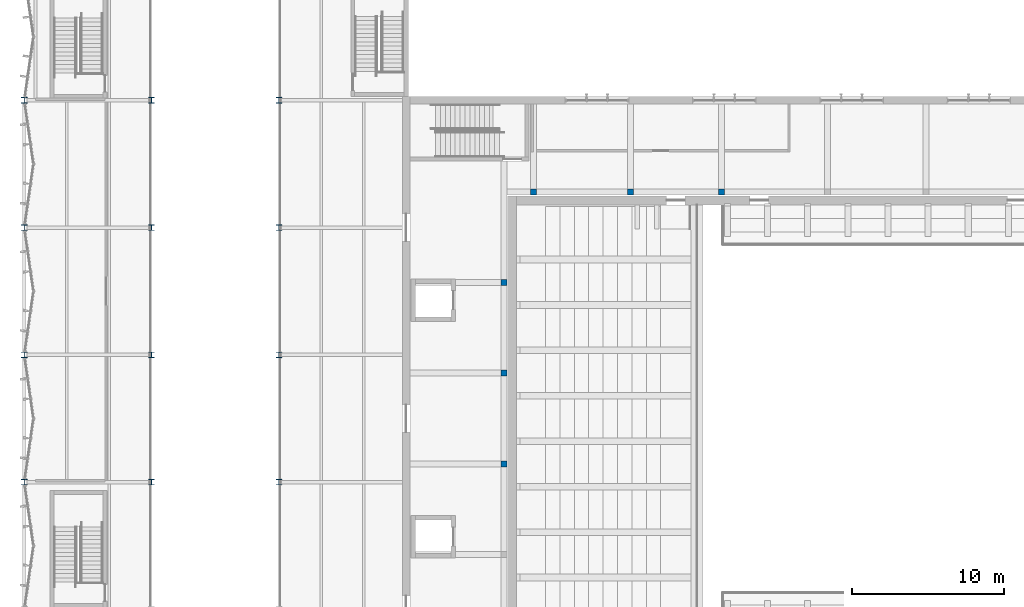
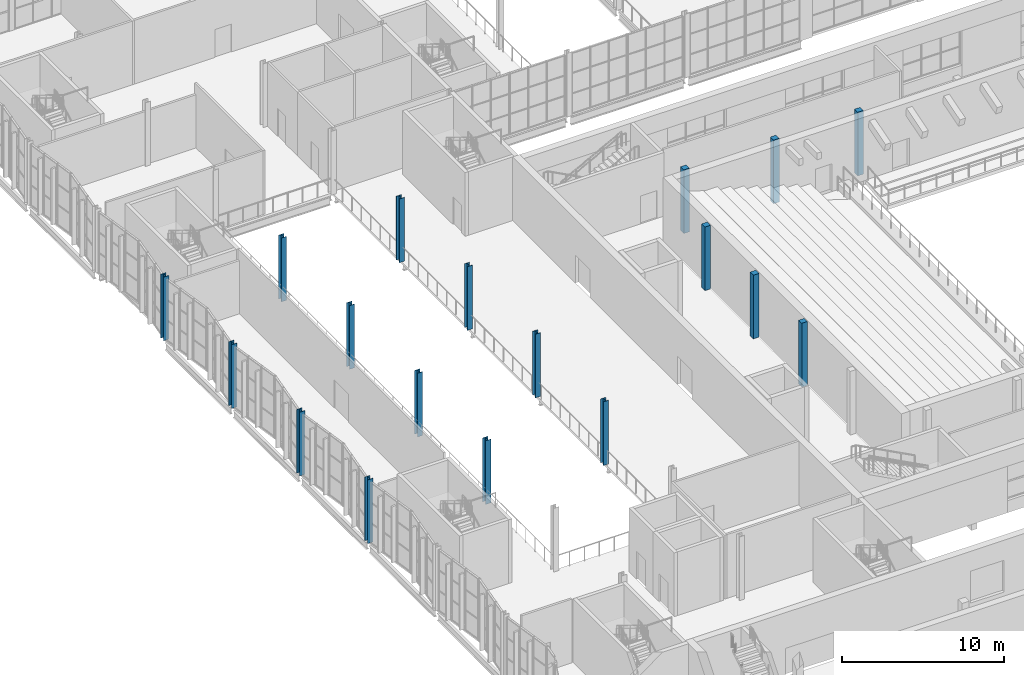
# One storey, part 7 of 127: 18 columns.
"""IFC4 building model written with IfcOpenShell, lengths in metres."""

from ifc_helpers import new_model, si_unit, direction, frame, origin, origin_2d, place, context, subcontext, project, spatial, rectangle, i_section, extrude, material, material_profile, profile_set, type_object, element, save


model = new_model("IFC4")

# Units and contexts
model_context = context("Model", 3, precision=1e-05, world=origin(), true_north=direction((0.0, 1.0)))
body_context = subcontext(model_context, "Body", "Model", "MODEL_VIEW")
ifc_project = project(units=[si_unit("LENGTHUNIT", "METRE"), si_unit("AREAUNIT", "SQUARE_METRE"), si_unit("VOLUMEUNIT", "CUBIC_METRE"), si_unit("PLANEANGLEUNIT", "RADIAN"), si_unit("MASSUNIT", "GRAM", prefix="KILO")], contexts=[model_context])

# Site, building, storey
site_placement = place(None, origin())
site = spatial("IfcSite", under=ifc_project, at=site_placement, CompositionType="ELEMENT")
building_placement = place(site_placement, origin())
building = spatial("IfcBuilding", under=site, at=building_placement, Name="Ljudholm Concert House", CompositionType="ELEMENT")
storey_placement = place(building_placement, frame((0.0, 0.0, 5.39990234375)))
storey = spatial("IfcBuildingStorey", under=building, at=storey_placement, Name="L01", CompositionType="ELEMENT", Elevation=5.39990234375)

# Columns
ifc_material_1 = material(Name="Concrete 6,500 psi", Category="concrete")
ifc_material_profile_1 = material_profile(ifc_material_1, rectangle(XDim=0.39990234375, YDim=0.39990234375, at=origin_2d()), Name="RC COLUMN 400x400")
ifc_profile_set_1 = profile_set([ifc_material_profile_1], Name="Concrete 6,500 psi")
column_type_1 = type_object("IfcColumnType", Name="RC COLUMN 400x400", PredefinedType="COLUMN", material=ifc_profile_set_1)
for number, where, z_axis, x_axis, name in (
    (1, (37.60009765625, 90.35009765625, 0.0), (0.0, 0.0, 1.0), (1.0, 0.0, 0.0), "Ring column"),
    (2, (44.0, 90.35009765625, 0.0), (0.0, 0.0, 1.0), (1.0, 0.0, 0.0), "Ring column"),
    (3, (50.0, 90.35009765625, 0.0), (0.0, 0.0, 1.0), (1.0, 0.0, 0.0), "Ring column"),
    (4, (35.64990234375, 72.409912109375, 0.0), (0.0, 0.0, 1.0), (1.0, 0.0, 0.0), "Ring column"),
    (5, (35.64990234375, 78.389892578125, 0.0), (0.0, 0.0, 1.0), (1.0, 0.0, 0.0), "Ring column"),
    (6, (35.64990234375, 84.3701171875, 0.0), (0.0, 0.0, 1.0), (1.0, 0.0, 0.0), "Ring column"),
):
    element("IfcColumn", number, at=place(storey_placement, frame(where, z_axis=z_axis, x_axis=x_axis)), inside=storey, type_object=column_type_1, Name=name, PredefinedType="COLUMN", context=body_context, shape_type="SweptSolid", body=[
        extrude(rectangle(XDim=0.39990234375, YDim=0.39990234375, at=origin_2d()), origin(), (0.0, 0.0, 1.0), 4.800048828125),
    ])
ifc_material_2 = material(Name="Steel ASTM A992", Category="steel")
ifc_material_profile_2 = material_profile(ifc_material_2, i_section(OverallWidth=0.373291015625, OverallDepth=0.373291015625, WebThickness=0.016357421875, FlangeThickness=0.026123046875, FilletRadius=0.01513671875, at=origin_2d()), Name="W14X132")
ifc_profile_set_2 = profile_set([ifc_material_profile_2], Name="Steel ASTM A992")
column_type_2 = type_object("IfcColumnType", Name="STEEL COLUMN W14X132", PredefinedType="COLUMN", material=ifc_profile_set_2)
for number, where, z_axis, x_axis, name in (
    (7, (4.0, 71.199951171875, 0.0), (0.0, 0.0, 1.0), (1.0, 0.0, 0.0), "Column W14X132"),
    (8, (4.0, 79.60009765625, 0.0), (0.0, 0.0, 1.0), (1.0, 0.0, 0.0), "Column W14X132"),
    (9, (4.0, 88.0, 0.0), (0.0, 0.0, 1.0), (1.0, 0.0, 0.0), "Column W14X132"),
    (10, (4.0, 96.39990234375, 0.0), (0.0, 0.0, 1.0), (1.0, 0.0, 0.0), "Column W14X132"),
    (11, (12.39990234375, 71.199951171875, 0.0), (0.0, 0.0, 1.0), (1.0, 0.0, 0.0), "Column W14X132"),
    (12, (12.39990234375, 79.60009765625, 0.0), (0.0, 0.0, 1.0), (1.0, 0.0, 0.0), "Column W14X132"),
    (13, (12.39990234375, 88.0, 0.0), (0.0, 0.0, 1.0), (1.0, 0.0, 0.0), "Column W14X132"),
    (14, (12.39990234375, 96.39990234375, 0.0), (0.0, 0.0, 1.0), (1.0, 0.0, 0.0), "Column W14X132"),
    (15, (20.800048828125, 71.199951171875, 0.0), (0.0, 0.0, 1.0), (1.0, 0.0, 0.0), "Column W14X132"),
    (16, (20.800048828125, 79.60009765625, 0.0), (0.0, 0.0, 1.0), (1.0, 0.0, 0.0), "Column W14X132"),
    (17, (20.800048828125, 88.0, 0.0), (0.0, 0.0, 1.0), (1.0, 0.0, 0.0), "Column W14X132"),
    (18, (20.800048828125, 96.39990234375, 0.0), (0.0, 0.0, 1.0), (1.0, 0.0, 0.0), "Column W14X132"),
):
    element("IfcColumn", number, at=place(storey_placement, frame(where, z_axis=z_axis, x_axis=x_axis)), inside=storey, type_object=column_type_2, Name=name, PredefinedType="COLUMN", context=body_context, shape_type="SweptSolid", body=[
        extrude(i_section(OverallWidth=0.373291015625, OverallDepth=0.373291015625, WebThickness=0.016357421875, FlangeThickness=0.026123046875, FilletRadius=0.01513671875, at=origin_2d()), origin(), (0.0, 0.0, 1.0), 4.800048828125),
    ])

save(model, "model.ifc")
